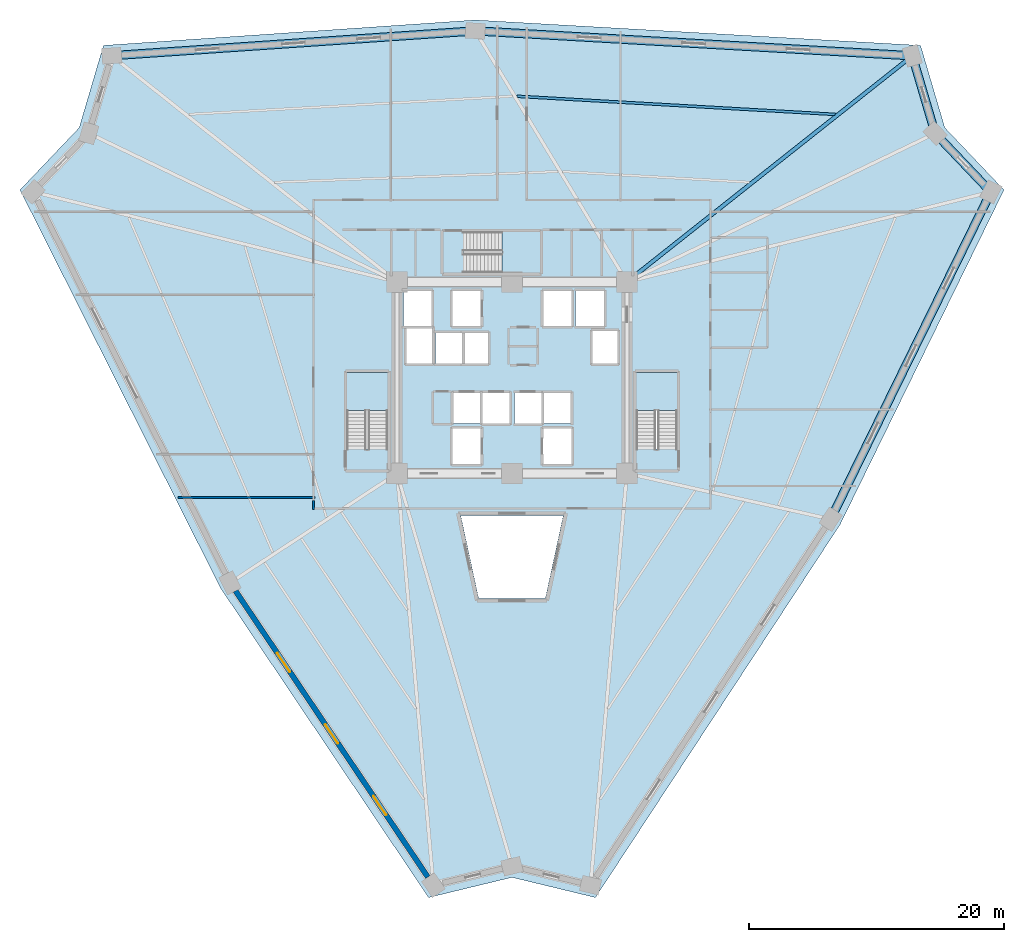
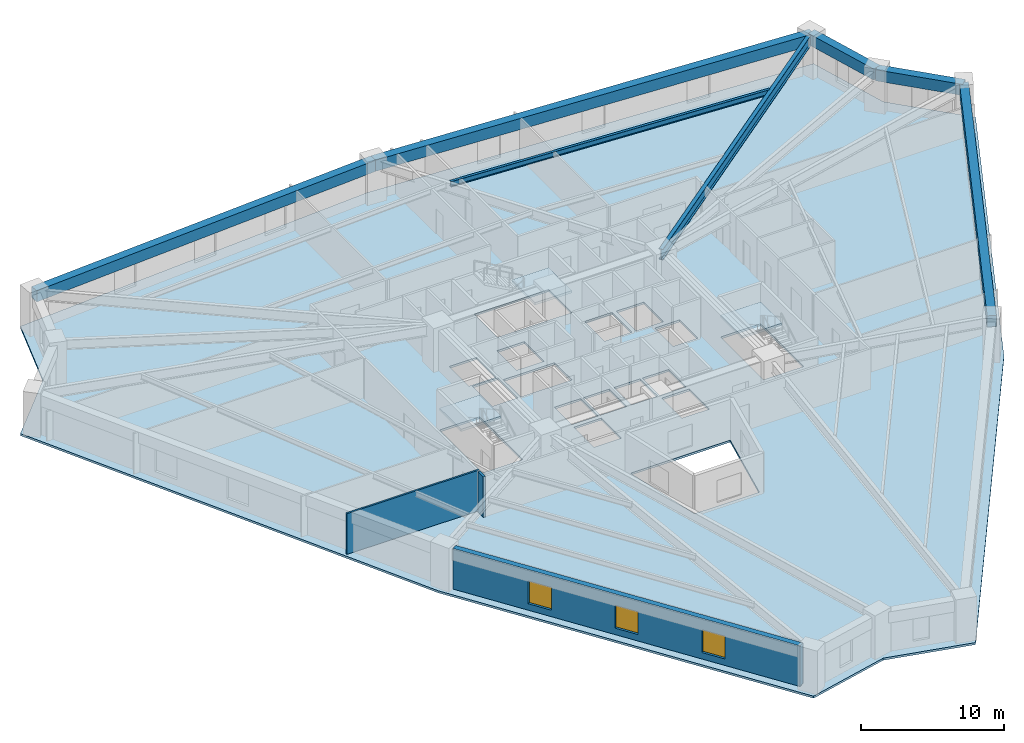
# One storey, part 2 of 8: 7 beams, 4 slabs, 3 walls, 3 windows, 3 openings, 3 elements without a shape of their own.
"""IFC4 building model written with IfcOpenShell, lengths in metres."""

from ifc_helpers import new_model, si_unit, direction, frame, frame_2d, origin, origin_2d, place, context, subcontext, project, spatial, polyline, rectangle, i_section, outline, extrude, source, transform, mapped, material, layer, layer_set, material_profile, profile_set, type_object, element, fill, aggregate, save


model = new_model("IFC4")

# Units and contexts
model_context = context("Model", 3, precision=1e-05, world=origin(), true_north=direction((0.0, 1.0)))
body_context = subcontext(model_context, "Body", "Model", "MODEL_VIEW")
ifc_project = project(units=[si_unit("LENGTHUNIT", "METRE"), si_unit("AREAUNIT", "SQUARE_METRE"), si_unit("VOLUMEUNIT", "CUBIC_METRE"), si_unit("PLANEANGLEUNIT", "RADIAN"), si_unit("MASSUNIT", "GRAM", prefix="KILO")], contexts=[model_context])

# Site, building, storey
site_placement = place(None, origin())
site = spatial("IfcSite", under=ifc_project, at=site_placement, CompositionType="ELEMENT")
building_placement = place(site_placement, origin())
building = spatial("IfcBuilding", under=site, at=building_placement, Name="Liaohun Quay Tower", CompositionType="ELEMENT")
storey_placement = place(building_placement, frame((0.0, 0.0, 89.25)))
storey = spatial("IfcBuildingStorey", under=building, at=storey_placement, Name="L23", CompositionType="ELEMENT", Elevation=89.25)

# Beams
ifc_material_1 = material(Name="Steel Q420D", Category="steel")
ifc_material_profile_1 = material_profile(ifc_material_1, i_section(OverallWidth=0.300048828125, OverallDepth=0.89990234375, WebThickness=0.01611328125, FlangeThickness=0.028076171875, at=origin_2d()), Name="HN900x300x16x28")
ifc_profile_set_1 = profile_set([ifc_material_profile_1], Name="Steel Q420D")
beam_type_1 = type_object("IfcBeamType", Name="BM-RAD-H1", PredefinedType="BEAM", material=ifc_profile_set_1)
shared_shape_1 = source(origin(), body_context, "Body", "SweptSolid", [
    extrude(i_section(OverallWidth=0.300048828125, OverallDepth=0.89990234375, WebThickness=0.01611328125, FlangeThickness=0.028076171875, at=origin_2d()), origin(), (0.0, 0.0, 1.0), 28.531005859375),
])
beam_1_placement = place(storey_placement, frame((69.0, 61.5, 3.02001953125), z_axis=(0.783884255344, 0.620906977109, 0.0), x_axis=(-0.620906977109, 0.783884255344, 0.0)))
element("IfcBeam", 1, at=beam_1_placement, inside=storey, type_object=beam_type_1, Name="L23 Radial Primary Girder CC4-PC07", PredefinedType="BEAM", context=body_context, shape_type="MappedRepresentation", body=[
    mapped(shared_shape_1, transform((0.0, 0.0, 0.0), x_axis=(1.0, 0.0, 0.0), y_axis=(0.0, 1.0, 0.0), z_axis=(0.0, 0.0, 1.0), scale=1.0)),
])
ifc_material_2 = material(Name="Steel Q355D", Category="steel")
ifc_material_profile_2 = material_profile(ifc_material_2, i_section(OverallWidth=0.199951171875, OverallDepth=0.449951171875, WebThickness=0.009033203125, FlangeThickness=0.013916015625, at=origin_2d()), Name="HN450x200x9x14")
ifc_profile_set_2 = profile_set([ifc_material_profile_2], Name="Steel Q355D")
beam_type_2 = type_object("IfcBeamType", Name="BM-SEC-J1", PredefinedType="JOIST", material=ifc_profile_set_2)
shared_shape_2 = source(origin(), body_context, "Body", "SweptSolid", [
    extrude(i_section(OverallWidth=0.199951171875, OverallDepth=0.449951171875, WebThickness=0.009033203125, FlangeThickness=0.013916015625, at=origin_2d()), origin(), (0.0, 0.0, 1.0), 24.972412109375),
])
beam_2_placement = place(storey_placement, frame((60.39306640625, 76.0439453125, 3.2451171875), z_axis=(0.99837772379, -0.056937866485, 0.0), x_axis=(0.056937866485, 0.99837772379, 0.0)))
element("IfcBeam", 2, at=beam_2_placement, inside=storey, type_object=beam_type_2, Name="L23 Wing Secondary Floor Joist SJ-09", PredefinedType="JOIST", context=body_context, shape_type="MappedRepresentation", body=[
    mapped(shared_shape_2, transform((0.0, 0.0, 0.0), x_axis=(1.0, 0.0, 0.0), y_axis=(0.0, 1.0, 0.0), z_axis=(0.0, 0.0, 1.0), scale=1.0)),
])
ifc_material_3 = material(Name="Precast concrete C55", Category="concrete")
ifc_material_profile_3 = material_profile(ifc_material_3, rectangle(XDim=0.64990234375, YDim=0.949951171875, at=origin_2d()), Name="RC650x950")
ifc_profile_set_3 = profile_set([ifc_material_profile_3], Name="Precast concrete C55")
beam_type_3 = type_object("IfcBeamType", Name="BM-SPD-Z1", PredefinedType="SPANDREL", material=ifc_profile_set_3)
shared_shape_3 = source(origin(), body_context, "Body", "SweptSolid", [
    extrude(rectangle(XDim=0.64990234375, YDim=0.949951171875, at=origin_2d()), origin(), (0.0, 0.0, 1.0), 28.553466796875),
])
beam_3_placement = place(storey_placement, frame((28.636962890625, 79.221923828125, 2.9951171875), z_axis=(0.997674782154, 0.068154449993, 0.0), x_axis=(-0.068154449993, 0.997674782154, 0.0)))
element("IfcBeam", 3, at=beam_3_placement, inside=storey, type_object=beam_type_3, Name="L23 Precast Spandrel Beam PC05-PC06", PredefinedType="SPANDREL", context=body_context, shape_type="MappedRepresentation", body=[
    mapped(shared_shape_3, transform((0.0, 0.0, 0.0), x_axis=(1.0, 0.0, 0.0), y_axis=(0.0, 1.0, 0.0), z_axis=(0.0, 0.0, 1.0), scale=1.0)),
])
shared_shape_4 = source(origin(), body_context, "Body", "SweptSolid", [
    extrude(rectangle(XDim=0.64990234375, YDim=0.949951171875, at=origin_2d()), origin(), (0.0, 0.0, 1.0), 34.296630859375),
])
beam_4_placement = place(storey_placement, frame((57.1240234375, 81.16796875, 2.9951171875), z_axis=(0.998377549217, -0.056940927453, 0.0), x_axis=(0.056940927453, 0.998377549217, 0.0)))
element("IfcBeam", 4, at=beam_4_placement, inside=storey, type_object=beam_type_3, Name="L23 Precast Spandrel Beam PC06-PC07", PredefinedType="SPANDREL", context=body_context, shape_type="MappedRepresentation", body=[
    mapped(shared_shape_4, transform((0.0, 0.0, 0.0), x_axis=(1.0, 0.0, 0.0), y_axis=(0.0, 1.0, 0.0), z_axis=(0.0, 0.0, 1.0), scale=1.0)),
])
shared_shape_5 = source(origin(), body_context, "Body", "SweptSolid", [
    extrude(rectangle(XDim=0.64990234375, YDim=0.949951171875, at=origin_2d()), origin(), (0.0, 0.0, 1.0), 6.331298828125),
])
beam_5_placement = place(storey_placement, frame((91.364990234375, 79.215087890625, 2.9951171875), z_axis=(0.282727863504, -0.959200164303, 0.0), x_axis=(0.959200164303, 0.282727863504, 0.0)))
element("IfcBeam", 5, at=beam_5_placement, inside=storey, type_object=beam_type_3, Name="L23 Precast Spandrel Beam PC07-PC08", PredefinedType="SPANDREL", context=body_context, shape_type="MappedRepresentation", body=[
    mapped(shared_shape_5, transform((0.0, 0.0, 0.0), x_axis=(1.0, 0.0, 0.0), y_axis=(0.0, 1.0, 0.0), z_axis=(0.0, 0.0, 1.0), scale=1.0)),
])
shared_shape_6 = source(origin(), body_context, "Body", "SweptSolid", [
    extrude(rectangle(XDim=0.64990234375, YDim=0.949951171875, at=origin_2d()), origin(), (0.0, 0.0, 1.0), 6.3388671875),
])
beam_6_placement = place(storey_placement, frame((93.155029296875, 73.14208984375, 2.9951171875), z_axis=(0.689365642578, -0.724413563397, 0.0), x_axis=(0.724413563397, 0.689365642578, 0.0)))
element("IfcBeam", 6, at=beam_6_placement, inside=storey, type_object=beam_type_3, Name="L23 Precast Spandrel Beam PC08-PC09", PredefinedType="SPANDREL", context=body_context, shape_type="MappedRepresentation", body=[
    mapped(shared_shape_6, transform((0.0, 0.0, 0.0), x_axis=(1.0, 0.0, 0.0), y_axis=(0.0, 1.0, 0.0), z_axis=(0.0, 0.0, 1.0), scale=1.0)),
])
shared_shape_7 = source(origin(), body_context, "Body", "SweptSolid", [
    extrude(rectangle(XDim=0.64990234375, YDim=0.949951171875, at=origin_2d()), origin(), (0.0, 0.0, 1.0), 28.552978515625),
])
beam_7_placement = place(storey_placement, frame((97.52490234375, 68.550048828125, 2.9951171875), z_axis=(-0.439810731033, -0.898090485902, 0.0), x_axis=(0.898090485902, -0.439810731033, 0.0)))
element("IfcBeam", 7, at=beam_7_placement, inside=storey, type_object=beam_type_3, Name="L23 Precast Spandrel Beam PC09-PC10", PredefinedType="SPANDREL", context=body_context, shape_type="MappedRepresentation", body=[
    mapped(shared_shape_7, transform((0.0, 0.0, 0.0), x_axis=(1.0, 0.0, 0.0), y_axis=(0.0, 1.0, 0.0), z_axis=(0.0, 0.0, 1.0), scale=1.0)),
])

# Stair, slab
ifc_material_4 = material(Name="Concrete C45", Category="concrete")
stair_type = type_object("IfcStairType", Name="STR-CORE-OFF", PredefinedType="HALF_TURN_STAIR", material=ifc_material_4)
stair_1_placement = place(storey_placement, origin())
stair_1 = element("IfcStair", 8, at=stair_1_placement, inside=storey, type_object=stair_type, Name="L23 Smokeproof Core Exit Stair ST-1", PredefinedType="HALF_TURN_STAIR")
ifc_layer_1 = layer(ifc_material_4, 0.199951171875, Name="Concrete C45", Category="concrete")
ifc_layer_set_1 = layer_set([ifc_layer_1], Name="Concrete C45")
slab_type_1 = type_object("IfcSlabType", Name="SLB-LND-200", PredefinedType="LANDING", material=ifc_layer_set_1)
slab_1_placement = place(storey_placement, frame((0.0, 0.0, 1.675048828125)))
slab_1 = element("IfcSlab", 9, at=slab_1_placement, type_object=slab_type_1, Name="ST-1 landing 1", PredefinedType="LANDING", context=body_context, shape_type="SweptSolid", body=[
    extrude(outline(polyline([(50.280029296875, 51.429931640625), (50.280029296875, 54.419921875), (47.0400390625, 54.419921875), (47.0400390625, 51.429931640625), (50.280029296875, 51.429931640625)])), origin(), (0.0, 0.0, 1.0), 0.199951171875),
])
aggregate(stair_1, [slab_1])

stair_2_placement = place(storey_placement, origin())
stair_2 = element("IfcStair", 10, at=stair_2_placement, inside=storey, type_object=stair_type, Name="L23 Smokeproof Core Exit Stair ST-2", PredefinedType="HALF_TURN_STAIR")
slab_2_placement = place(storey_placement, frame((0.0, 0.0, 1.675048828125)))
slab_2 = element("IfcSlab", 11, at=slab_2_placement, type_object=slab_type_1, Name="ST-2 landing 1", PredefinedType="LANDING", context=body_context, shape_type="SweptSolid", body=[
    extrude(outline(polyline([(72.9599609375, 51.429931640625), (72.9599609375, 54.419921875), (69.719970703125, 54.419921875), (69.719970703125, 51.429931640625), (72.9599609375, 51.429931640625)])), origin(), (0.0, 0.0, 1.0), 0.199951171875),
])
aggregate(stair_2, [slab_2])

stair_3_placement = place(storey_placement, origin())
stair_3 = element("IfcStair", 12, at=stair_3_placement, inside=storey, type_object=stair_type, Name="L23 Smokeproof Core Exit Stair ST-3", PredefinedType="HALF_TURN_STAIR")
slab_3_placement = place(storey_placement, frame((0.0, 0.0, 1.675048828125)))
slab_3 = element("IfcSlab", 13, at=slab_3_placement, type_object=slab_type_1, Name="ST-3 landing 1", PredefinedType="LANDING", context=body_context, shape_type="SweptSolid", body=[
    extrude(outline(polyline([(59.22998046875, 62.199951171875), (62.219970703125, 62.199951171875), (62.219970703125, 65.43994140625), (59.22998046875, 65.43994140625), (59.22998046875, 62.199951171875)])), origin(), (0.0, 0.0, 1.0), 0.199951171875),
])
aggregate(stair_3, [slab_3])

# Slab
ifc_layer_2 = layer(ifc_material_4, 0.179931640625, Name="Concrete C45", Category="concrete")
ifc_layer_set_2 = layer_set([ifc_layer_2], Name="Concrete C45")
slab_type_2 = type_object("IfcSlabType", Name="SLB-OFF-180", PredefinedType="FLOOR", material=ifc_layer_set_2)
slab_4_placement = place(storey_placement, frame((0.0, 0.0, -0.179931640625)))
element("IfcSlab", 14, at=slab_4_placement, inside=storey, type_object=slab_type_2, Name="L23 Structural Floor Slab", PredefinedType="FLOOR", context=body_context, shape_type="SweptSolid", body=[
    extrude(outline(polyline([(53.462890625, 13.261962890625), (60.0, 14.841064453125), (66.537109375, 13.261962890625), (85.70703125, 42.485107421875), (98.549072265625, 68.70703125), (93.912109375, 73.5791015625), (92.010986328125, 80.030029296875), (57.118896484375, 82.02001953125), (27.989013671875, 80.030029296875), (26.087890625, 73.5791015625), (21.450927734375, 68.70703125), (37.174072265625, 37.4951171875), (53.462890625, 13.261962890625)]), holes=[polyline([(57.56005859375, 47.2099609375), (57.56005859375, 50.030029296875), (55.340087890625, 50.030029296875), (55.340087890625, 47.2099609375), (57.56005859375, 47.2099609375)]), polyline([(50.280029296875, 54.419921875), (47.0400390625, 54.419921875), (47.0400390625, 48.409912109375), (50.280029296875, 48.409912109375), (50.280029296875, 54.419921875)]), polyline([(57.510009765625, 50.389892578125), (57.510009765625, 52.81005859375), (55.389892578125, 52.81005859375), (55.389892578125, 50.389892578125), (57.510009765625, 50.389892578125)]), polyline([(59.81005859375, 50.389892578125), (59.81005859375, 52.81005859375), (57.68994140625, 52.81005859375), (57.68994140625, 50.389892578125), (59.81005859375, 50.389892578125)]), polyline([(58.110107421875, 57.510009765625), (53.989990234375, 57.510009765625), (53.989990234375, 55.090087890625), (58.110107421875, 55.090087890625), (58.110107421875, 57.510009765625)]), polyline([(53.760009765625, 55.090087890625), (53.760009765625, 57.909912109375), (51.7099609375, 57.909912109375), (51.7099609375, 55.090087890625), (53.760009765625, 55.090087890625)]), polyline([(51.489990234375, 58.0400390625), (53.7099609375, 58.0400390625), (53.7099609375, 60.7900390625), (51.489990234375, 60.7900390625), (51.489990234375, 58.0400390625)]), polyline([(55.340087890625, 58.0400390625), (57.56005859375, 58.0400390625), (57.56005859375, 60.7900390625), (55.340087890625, 60.7900390625), (55.340087890625, 58.0400390625)]), polyline([(62.612060546875, 36.69189453125), (64.01904296875, 43.199951171875), (55.98095703125, 43.199951171875), (57.387939453125, 36.69189453125), (62.612060546875, 36.69189453125)]), polyline([(64.659912109375, 47.2099609375), (64.659912109375, 50.030029296875), (62.43994140625, 50.030029296875), (62.43994140625, 47.2099609375), (64.659912109375, 47.2099609375)]), polyline([(72.9599609375, 54.419921875), (69.719970703125, 54.419921875), (69.719970703125, 48.409912109375), (72.9599609375, 48.409912109375), (72.9599609375, 54.419921875)]), polyline([(62.31005859375, 50.389892578125), (62.31005859375, 52.81005859375), (60.18994140625, 52.81005859375), (60.18994140625, 50.389892578125), (62.31005859375, 50.389892578125)]), polyline([(64.610107421875, 50.389892578125), (64.610107421875, 52.81005859375), (62.489990234375, 52.81005859375), (62.489990234375, 50.389892578125), (64.610107421875, 50.389892578125)]), polyline([(68.2900390625, 55.090087890625), (68.2900390625, 57.659912109375), (66.2900390625, 57.659912109375), (66.2900390625, 55.090087890625), (68.2900390625, 55.090087890625)]), polyline([(64.659912109375, 58.0400390625), (64.659912109375, 60.7900390625), (62.43994140625, 60.7900390625), (62.43994140625, 58.0400390625), (64.659912109375, 58.0400390625)]), polyline([(64.989990234375, 58.0400390625), (67.2099609375, 58.0400390625), (67.2099609375, 60.7900390625), (64.989990234375, 60.7900390625), (64.989990234375, 58.0400390625)]), polyline([(56.2099609375, 62.199951171875), (62.219970703125, 62.199951171875), (62.219970703125, 65.43994140625), (56.2099609375, 65.43994140625), (56.2099609375, 62.199951171875)])]), origin(), (0.0, 0.0, 1.0), 0.179931640625),
])

# Wall, openings, windows
ifc_material_5 = material(Name="Precast concrete C50 insulated sandwich", Category="concrete")
ifc_layer_3 = layer(ifc_material_5, 0.419921875, Name="Precast concrete C50 insulated sandwich", Category="concrete")
ifc_layer_set_3 = layer_set([ifc_layer_3], Name="Precast concrete C50 insulated sandwich")
wall_type_1 = type_object("IfcWallType", Name="WAL-EXT-Z12", PredefinedType="SOLIDWALL", material=ifc_layer_set_3)
wall_1_placement = place(storey_placement, frame((38.3359375, 37.2900390625, 0.0), z_axis=(0.0, 0.0, 1.0), x_axis=(0.557846442621, -0.829944182735, 0.0)))
wall_1 = element("IfcWall", 15, at=wall_1_placement, inside=storey, type_object=wall_type_1, Name="L23 Brutalist Precast Pier Wall 11", PredefinedType="SOLIDWALL", context=body_context, shape_type="SweptSolid", body=[
    extrude(rectangle(XDim=27.0234375, YDim=0.419921875, at=frame_2d((13.51171875, 0.0))), origin(), (0.0, 0.0, 1.0), 3.469970703125),
])
shared_shape_8 = source(origin(), body_context, "Body", "SweptSolid", [
    extrude(rectangle(XDim=1.800048828125, YDim=1.949951171875, at=frame_2d((0.89990234375, 0.97509765625))), frame((0.0, 0.219970703125, 0.0), z_axis=(0.0, -1.0, 0.0), x_axis=(1.0, 0.0, 0.0)), (0.0, 0.0, 1.0), 0.43994140625),
])
opening_1_placement = place(wall_1_placement, frame((5.85595703125, 0.0, 0.550048828125)))
opening_1 = element("IfcOpeningElement", 16, at=opening_1_placement, cuts=wall_1, Name="Opening W01", PredefinedType="OPENING", context=body_context, shape_type="MappedRepresentation", body=[
    mapped(shared_shape_8, transform((0.0, 0.0, 0.0), x_axis=(1.0, 0.0, 0.0), y_axis=(0.0, 1.0, 0.0), z_axis=(0.0, 0.0, 1.0), scale=1.0)),
])
opening_2_placement = place(wall_1_placement, frame((12.612060546875, 0.0, 0.550048828125)))
opening_2 = element("IfcOpeningElement", 17, at=opening_2_placement, cuts=wall_1, Name="Opening W01", PredefinedType="OPENING", context=body_context, shape_type="MappedRepresentation", body=[
    mapped(shared_shape_8, transform((0.0, 0.0, 0.0), x_axis=(1.0, 0.0, 0.0), y_axis=(0.0, 1.0, 0.0), z_axis=(0.0, 0.0, 1.0), scale=1.0)),
])
opening_3_placement = place(wall_1_placement, frame((19.367919921875, 0.0, 0.550048828125)))
opening_3 = element("IfcOpeningElement", 18, at=opening_3_placement, cuts=wall_1, Name="Opening W01", PredefinedType="OPENING", context=body_context, shape_type="MappedRepresentation", body=[
    mapped(shared_shape_8, transform((0.0, 0.0, 0.0), x_axis=(1.0, 0.0, 0.0), y_axis=(0.0, 1.0, 0.0), z_axis=(0.0, 0.0, 1.0), scale=1.0)),
])
ifc_material_6 = material(Name="Triple Low-E argon glazing in thermally broken aluminium", Category="aluminium")
window_type = type_object("IfcWindowType", Name="WIN-PUN-Z1", PartitioningType="DOUBLE_PANEL_VERTICAL", PredefinedType="WINDOW", material=ifc_material_6)
shared_shape_9 = source(origin(), body_context, "Body", "SweptSolid", [
    extrude(rectangle(XDim=1.800048828125, YDim=1.949951171875, at=frame_2d((0.89990234375, 0.97509765625))), frame((0.0, 0.030029296875, 0.0), z_axis=(0.0, -1.0, 0.0), x_axis=(1.0, 0.0, 0.0)), (0.0, 0.0, 1.0), 0.06005859375),
])
window_1_placement = place(opening_1_placement, origin())
window_1 = element("IfcWindow", 19, at=window_1_placement, inside=storey, type_object=window_type, Name="L23 Recessed Cold-Climate Punched Window 11-1", OverallHeight=1.949951171875, OverallWidth=1.800048828125, PartitioningType="DOUBLE_PANEL_VERTICAL", PredefinedType="WINDOW", context=body_context, shape_type="MappedRepresentation", body=[
    mapped(shared_shape_9, transform((0.0, 0.0, 0.0), x_axis=(1.0, 0.0, 0.0), y_axis=(0.0, 1.0, 0.0), z_axis=(0.0, 0.0, 1.0), scale=1.0)),
])
fill(opening_1, window_1)
window_2_placement = place(opening_2_placement, origin())
window_2 = element("IfcWindow", 20, at=window_2_placement, inside=storey, type_object=window_type, Name="L23 Recessed Cold-Climate Punched Window 11-2", OverallHeight=1.949951171875, OverallWidth=1.800048828125, PartitioningType="DOUBLE_PANEL_VERTICAL", PredefinedType="WINDOW", context=body_context, shape_type="MappedRepresentation", body=[
    mapped(shared_shape_9, transform((0.0, 0.0, 0.0), x_axis=(1.0, 0.0, 0.0), y_axis=(0.0, 1.0, 0.0), z_axis=(0.0, 0.0, 1.0), scale=1.0)),
])
fill(opening_2, window_2)
window_3_placement = place(opening_3_placement, origin())
window_3 = element("IfcWindow", 21, at=window_3_placement, inside=storey, type_object=window_type, Name="L23 Recessed Cold-Climate Punched Window 11-3", OverallHeight=1.949951171875, OverallWidth=1.800048828125, PartitioningType="DOUBLE_PANEL_VERTICAL", PredefinedType="WINDOW", context=body_context, shape_type="MappedRepresentation", body=[
    mapped(shared_shape_9, transform((0.0, 0.0, 0.0), x_axis=(1.0, 0.0, 0.0), y_axis=(0.0, 1.0, 0.0), z_axis=(0.0, 0.0, 1.0), scale=1.0)),
])
fill(opening_3, window_3)

# Walls
ifc_material_7 = material(Name="Autoclaved aerated concrete blockwork", Category="masonry")
ifc_layer_4 = layer(ifc_material_7, 0.179931640625, Name="Autoclaved aerated concrete blockwork", Category="masonry")
ifc_layer_set_4 = layer_set([ifc_layer_4], Name="Autoclaved aerated concrete blockwork")
wall_type_2 = type_object("IfcWallType", Name="WAL-PRT-COR", PredefinedType="PARTITIONING", material=ifc_layer_set_4)
wall_2_placement = place(storey_placement, frame((44.43994140625, 43.669921875, 0.0), z_axis=(0.0, 0.0, 1.0), x_axis=(0.0, 1.0, 0.0)))
element("IfcWall", 22, at=wall_2_placement, inside=storey, type_object=wall_type_2, Name="L23 Interior Partition Wall 045", PredefinedType="PARTITIONING", context=body_context, shape_type="SweptSolid", body=[
    extrude(rectangle(XDim=0.715087890625, YDim=0.179931640625, at=frame_2d((0.357421875, 0.0))), origin(), (0.0, 0.0, 1.0), 3.469970703125),
])
ifc_material_8 = material(Name="Gypsum board on twin steel studs", Category="steel")
ifc_layer_5 = layer(ifc_material_8, 0.139892578125, Name="Gypsum board on twin steel studs", Category="steel")
ifc_layer_set_5 = layer_set([ifc_layer_5], Name="Gypsum board on twin steel studs")
wall_type_3 = type_object("IfcWallType", Name="WAL-PRT-OFF", PredefinedType="PARTITIONING", material=ifc_layer_set_5)
wall_3_placement = place(storey_placement, frame((44.5400390625, 44.60009765625, 0.0), z_axis=(0.0, 0.0, 1.0), x_axis=(-1.0, 0.0, 0.0)))
element("IfcWall", 23, at=wall_3_placement, inside=storey, type_object=wall_type_3, Name="L23 Interior Partition Wall 046", PredefinedType="PARTITIONING", context=body_context, shape_type="SweptSolid", body=[
    extrude(rectangle(XDim=10.698974609375, YDim=0.139892578125, at=frame_2d((5.349609375, 0.0))), origin(), (0.0, 0.0, 1.0), 3.469970703125),
])

save(model, "model.ifc")
